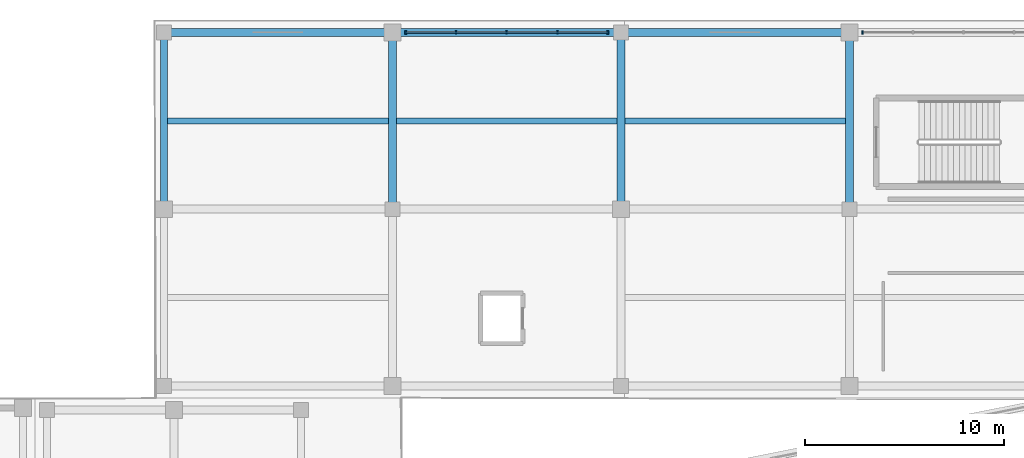
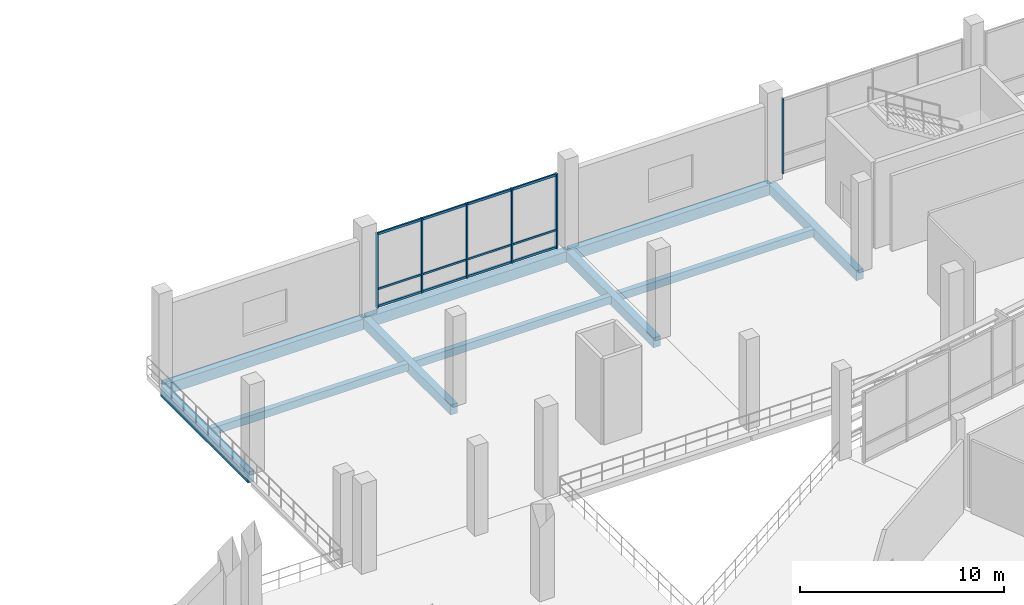
# One storey, part 49 of 114: 10 beams, 9 members, 2 elements without a shape of their own.
"""IFC4 building model written with IfcOpenShell, lengths in metres."""

from ifc_helpers import new_model, si_unit, direction, frame, origin, origin_2d, place, context, subcontext, project, spatial, rectangle, extrude, material, material_profile, profile_set, type_object, element, aggregate, save


model = new_model("IFC4")

# Units and contexts
model_context = context("Model", 3, precision=1e-05, world=origin(), true_north=direction((0.0, 1.0)))
body_context = subcontext(model_context, "Body", "Model", "MODEL_VIEW")
ifc_project = project(units=[si_unit("LENGTHUNIT", "METRE"), si_unit("AREAUNIT", "SQUARE_METRE"), si_unit("VOLUMEUNIT", "CUBIC_METRE"), si_unit("PLANEANGLEUNIT", "RADIAN"), si_unit("MASSUNIT", "GRAM", prefix="KILO")], contexts=[model_context])

# Site, building, storey
site_placement = place(None, origin())
site = spatial("IfcSite", under=ifc_project, at=site_placement, CompositionType="ELEMENT")
building_placement = place(site_placement, origin())
building = spatial("IfcBuilding", under=site, at=building_placement, Name="Candeia Ridge Stadium", CompositionType="ELEMENT")
storey_placement = place(building_placement, frame((0.0, 0.0, 5.39990234375)))
storey = spatial("IfcBuildingStorey", under=building, at=storey_placement, Name="L01", CompositionType="ELEMENT", Elevation=5.39990234375)

# Curtain wall, members
ifc_material_1 = material(Name="Aluminium Anodized Warm Bronze", Category="aluminium")
curtain_wall_type = type_object("IfcCurtainWallType", Name="Museum & Boulevard Showcase Curtain Wall", PredefinedType="NOTDEFINED", material=ifc_material_1)
curtain_wall_1_placement = place(storey_placement, origin())
curtain_wall_1 = element("IfcCurtainWall", 1, at=curtain_wall_1_placement, inside=storey, type_object=curtain_wall_type, Name="Unitised curtain wall CW-WNG-L01-141", PredefinedType="NOTDEFINED")
ifc_material_profile_1 = material_profile(ifc_material_1, rectangle(XDim=0.090087890625, YDim=0.179931640625, at=origin_2d()), Name="CWM-90x180", Category="aluminium")
ifc_profile_set_1 = profile_set([ifc_material_profile_1], Name="Aluminium Anodized Warm Bronze")
member_type_1 = type_object("IfcMemberType", Name="Curtain Wall Primary Mullion 90x180", PredefinedType="MULLION", material=ifc_profile_set_1)
member_1_placement = place(storey_placement, frame((37.659912109375, 165.39990234375, 0.0), z_axis=(0.0, 0.0, 1.0), x_axis=(1.0, 0.0, 0.0)))
member_1 = element("IfcMember", 2, at=member_1_placement, type_object=member_type_1, Name="Curtain wall mullion CW-WNG-L01-141-M0", PredefinedType="MULLION", context=body_context, shape_type="SweptSolid", body=[
    extrude(rectangle(XDim=0.090087890625, YDim=0.179931640625, at=origin_2d()), origin(), (0.0, 0.0, 1.0), 4.47509765625),
])
member_2_placement = place(storey_placement, frame((47.840087890625, 165.39990234375, 0.0), z_axis=(0.0, 0.0, 1.0), x_axis=(1.0, 0.0, 0.0)))
member_2 = element("IfcMember", 3, at=member_2_placement, type_object=member_type_1, Name="Curtain wall mullion CW-WNG-L01-141-M4", PredefinedType="MULLION", context=body_context, shape_type="SweptSolid", body=[
    extrude(rectangle(XDim=0.090087890625, YDim=0.179931640625, at=origin_2d()), origin(), (0.0, 0.0, 1.0), 4.47509765625),
])

# Curtain wall, member
curtain_wall_2_placement = place(storey_placement, origin())
curtain_wall_2 = element("IfcCurtainWall", 4, at=curtain_wall_2_placement, inside=storey, type_object=curtain_wall_type, Name="Unitised curtain wall CW-WNG-L01-142", PredefinedType="NOTDEFINED")
member_3_placement = place(storey_placement, frame((60.659912109375, 165.39990234375, 0.0), z_axis=(0.0, 0.0, 1.0), x_axis=(1.0, 0.0, 0.0)))
member_3 = element("IfcMember", 5, at=member_3_placement, type_object=member_type_1, Name="Curtain wall mullion CW-WNG-L01-142-M0", PredefinedType="MULLION", context=body_context, shape_type="SweptSolid", body=[
    extrude(rectangle(XDim=0.090087890625, YDim=0.179931640625, at=origin_2d()), origin(), (0.0, 0.0, 1.0), 4.47509765625),
])
aggregate(curtain_wall_2, [member_3])

# Member
ifc_material_profile_2 = material_profile(ifc_material_1, rectangle(XDim=0.074951171875, YDim=0.14990234375, at=origin_2d()), Name="CWM-75x150", Category="aluminium")
ifc_profile_set_2 = profile_set([ifc_material_profile_2], Name="Aluminium Anodized Warm Bronze")
member_type_2 = type_object("IfcMemberType", Name="Curtain Wall Secondary Mullion 75x150", PredefinedType="MULLION", material=ifc_profile_set_2)
member_4_placement = place(storey_placement, frame((40.205078125, 165.39990234375, 0.0), z_axis=(0.0, 0.0, 1.0), x_axis=(1.0, 0.0, 0.0)))
member_4 = element("IfcMember", 6, at=member_4_placement, type_object=member_type_2, Name="Curtain wall mullion CW-WNG-L01-141-M1", PredefinedType="MULLION", context=body_context, shape_type="SweptSolid", body=[
    extrude(rectangle(XDim=0.074951171875, YDim=0.14990234375, at=origin_2d()), origin(), (0.0, 0.0, 1.0), 4.47509765625),
])

member_5_placement = place(storey_placement, frame((42.75, 165.39990234375, 0.0), z_axis=(0.0, 0.0, 1.0), x_axis=(1.0, 0.0, 0.0)))
member_5 = element("IfcMember", 7, at=member_5_placement, type_object=member_type_2, Name="Curtain wall mullion CW-WNG-L01-141-M2", PredefinedType="MULLION", context=body_context, shape_type="SweptSolid", body=[
    extrude(rectangle(XDim=0.074951171875, YDim=0.14990234375, at=origin_2d()), origin(), (0.0, 0.0, 1.0), 4.47509765625),
])

member_6_placement = place(storey_placement, frame((45.294921875, 165.39990234375, 0.0), z_axis=(0.0, 0.0, 1.0), x_axis=(1.0, 0.0, 0.0)))
member_6 = element("IfcMember", 8, at=member_6_placement, type_object=member_type_2, Name="Curtain wall mullion CW-WNG-L01-141-M3", PredefinedType="MULLION", context=body_context, shape_type="SweptSolid", body=[
    extrude(rectangle(XDim=0.074951171875, YDim=0.14990234375, at=origin_2d()), origin(), (0.0, 0.0, 1.0), 4.47509765625),
])

ifc_material_profile_3 = material_profile(ifc_material_1, rectangle(XDim=0.074951171875, YDim=0.110107421875, at=origin_2d()), Name="CWT-75x110", Category="aluminium")
ifc_profile_set_3 = profile_set([ifc_material_profile_3], Name="Aluminium Anodized Warm Bronze")
member_type_3 = type_object("IfcMemberType", Name="Curtain Wall Secondary Transom 75x110", PredefinedType="USERDEFINED", material=ifc_profile_set_3)
member_7_placement = place(storey_placement, frame((37.659912109375, 165.39990234375, 1.10009765625), z_axis=(1.0, 0.0, 0.0), x_axis=(0.0, 1.0, 0.0)))
member_7 = element("IfcMember", 9, at=member_7_placement, type_object=member_type_3, Name="Curtain wall transom CW-WNG-L01-141-T1", ObjectType="TRANSOM", PredefinedType="USERDEFINED", context=body_context, shape_type="SweptSolid", body=[
    extrude(rectangle(XDim=0.074951171875, YDim=0.110107421875, at=origin_2d()), origin(), (0.0, 0.0, 1.0), 10.18017578125),
])

ifc_material_profile_4 = material_profile(ifc_material_1, rectangle(XDim=0.090087890625, YDim=0.139892578125, at=origin_2d()), Name="CWT-90x140", Category="aluminium")
ifc_profile_set_4 = profile_set([ifc_material_profile_4], Name="Aluminium Anodized Warm Bronze")
member_type_4 = type_object("IfcMemberType", Name="Curtain Wall Transom 90x140", PredefinedType="USERDEFINED", material=ifc_profile_set_4)
member_8_placement = place(storey_placement, frame((37.659912109375, 165.39990234375, 0.070068359375), z_axis=(1.0, 0.0, 0.0), x_axis=(0.0, 1.0, 0.0)))
member_8 = element("IfcMember", 10, at=member_8_placement, type_object=member_type_4, Name="Curtain wall transom CW-WNG-L01-141-T0", ObjectType="TRANSOM", PredefinedType="USERDEFINED", context=body_context, shape_type="SweptSolid", body=[
    extrude(rectangle(XDim=0.090087890625, YDim=0.139892578125, at=origin_2d()), origin(), (0.0, 0.0, 1.0), 10.18017578125),
])

member_9_placement = place(storey_placement, frame((37.659912109375, 165.39990234375, 4.405029296875), z_axis=(1.0, 0.0, 0.0), x_axis=(0.0, 1.0, 0.0)))
member_9 = element("IfcMember", 11, at=member_9_placement, type_object=member_type_4, Name="Curtain wall transom CW-WNG-L01-141-T2", ObjectType="TRANSOM", PredefinedType="USERDEFINED", context=body_context, shape_type="SweptSolid", body=[
    extrude(rectangle(XDim=0.090087890625, YDim=0.139892578125, at=origin_2d()), origin(), (0.0, 0.0, 1.0), 10.18017578125),
])

aggregate(curtain_wall_1, [member_1, member_4, member_5, member_6, member_2, member_8, member_7, member_9])

# Beams
ifc_material_2 = material(Name="Concrete C40/50", Category="concrete")
ifc_material_profile_5 = material_profile(ifc_material_2, rectangle(XDim=0.300048828125, YDim=0.449951171875, at=origin_2d()), Name="RC300x450", Category="concrete")
ifc_profile_set_5 = profile_set([ifc_material_profile_5], Name="Concrete C40/50")
beam_type_1 = type_object("IfcBeamType", Name="Floor Joist RC300x450", PredefinedType="JOIST", material=ifc_profile_set_5)
beam_1_placement = place(storey_placement, frame((25.674560546875, 160.949951171875, -0.48486328125), z_axis=(1.0, 0.0, 0.0), x_axis=(0.0, 1.0, 0.0)))
element("IfcBeam", 12, at=beam_1_placement, inside=storey, type_object=beam_type_1, Name="Wing secondary joist BM-L01-1545", PredefinedType="JOIST", context=body_context, shape_type="SweptSolid", body=[
    extrude(rectangle(XDim=0.300048828125, YDim=0.449951171875, at=origin_2d()), origin(), (0.0, 0.0, 1.0), 11.1259765625),
])
for number, where, z_axis, x_axis, name in (
    (13, (37.199462890625, 160.949951171875, -0.48486328125), (1.0, 0.0, 0.0), (0.0, 1.0, 0.0), "Wing secondary joist BM-L01-1549"),
    (14, (48.699462890625, 160.949951171875, -0.48486328125), (1.0, 0.0, 0.0), (0.0, 1.0, 0.0), "Wing secondary joist BM-L01-1554"),
):
    element("IfcBeam", number, at=place(storey_placement, frame(where, z_axis=z_axis, x_axis=x_axis)), inside=storey, type_object=beam_type_1, Name=name, PredefinedType="JOIST", context=body_context, shape_type="SweptSolid", body=[
        extrude(rectangle(XDim=0.300048828125, YDim=0.449951171875, at=origin_2d()), origin(), (0.0, 0.0, 1.0), 11.10107421875),
    ])
ifc_material_profile_6 = material_profile(ifc_material_2, rectangle(XDim=0.39990234375, YDim=0.60009765625, at=origin_2d()), Name="RC400x600", Category="concrete")
ifc_profile_set_6 = profile_set([ifc_material_profile_6], Name="Concrete C40/50")
beam_type_2 = type_object("IfcBeamType", Name="Frame Girder RC400x600", PredefinedType="BEAM", material=ifc_profile_set_6)
for number, where, z_axis, x_axis, name in (
    (15, (37.0, 156.659912109375, -0.559814453125), (0.0, 1.0, 0.0), (-1.0, 0.0, 0.0), "Structural girder BM-L01-1531"),
    (16, (48.5, 156.659912109375, -0.559814453125), (0.0, 1.0, 0.0), (-1.0, 0.0, 0.0), "Structural girder BM-L01-1533"),
    (17, (60.0, 156.659912109375, -0.559814453125), (0.0, 1.0, 0.0), (-1.0, 0.0, 0.0), "Structural girder BM-L01-1535"),
):
    element("IfcBeam", number, at=place(storey_placement, frame(where, z_axis=z_axis, x_axis=x_axis)), inside=storey, type_object=beam_type_2, Name=name, PredefinedType="BEAM", context=body_context, shape_type="SweptSolid", body=[
        extrude(rectangle(XDim=0.39990234375, YDim=0.60009765625, at=origin_2d()), origin(), (0.0, 0.0, 1.0), 8.580078125),
    ])
ifc_material_profile_7 = material_profile(ifc_material_2, rectangle(XDim=0.35009765625, YDim=0.64990234375, at=origin_2d()), Name="RC350x650", Category="concrete")
ifc_profile_set_7 = profile_set([ifc_material_profile_7], Name="Concrete C40/50")
beam_type_3 = type_object("IfcBeamType", Name="Spandrel Beam RC350x650", PredefinedType="SPANDREL", material=ifc_profile_set_7)
beam_2_placement = place(storey_placement, frame((25.5, 156.659912109375, -0.5849609375), z_axis=(0.0, 1.0, 0.0), x_axis=(-1.0, 0.0, 0.0)))
element("IfcBeam", 18, at=beam_2_placement, inside=storey, type_object=beam_type_3, Name="Structural girder BM-L01-1529", PredefinedType="SPANDREL", context=body_context, shape_type="SweptSolid", body=[
    extrude(rectangle(XDim=0.35009765625, YDim=0.64990234375, at=origin_2d()), origin(), (0.0, 0.0, 1.0), 8.580078125),
])
ifc_material_profile_8 = material_profile(ifc_material_2, rectangle(XDim=0.39990234375, YDim=0.64990234375, at=origin_2d()), Name="RC400x650", Category="concrete")
ifc_profile_set_8 = profile_set([ifc_material_profile_8], Name="Concrete C40/50")
beam_type_4 = type_object("IfcBeamType", Name="Wing Primary Girder RC400x650", PredefinedType="BEAM", material=ifc_profile_set_8)
for number, where, z_axis, x_axis, name in (
    (19, (25.550048828125, 165.39990234375, -0.5849609375), (1.0, 0.0, 0.0), (0.0, 1.0, 0.0), "Structural girder BM-L01-1546"),
    (20, (37.050048828125, 165.39990234375, -0.5849609375), (1.0, 0.0, 0.0), (0.0, 1.0, 0.0), "Structural girder BM-L01-1550"),
    (21, (48.550048828125, 165.39990234375, -0.5849609375), (1.0, 0.0, 0.0), (0.0, 1.0, 0.0), "Structural girder BM-L01-1555"),
):
    element("IfcBeam", number, at=place(storey_placement, frame(where, z_axis=z_axis, x_axis=x_axis)), inside=storey, type_object=beam_type_4, Name=name, PredefinedType="BEAM", context=body_context, shape_type="SweptSolid", body=[
        extrude(rectangle(XDim=0.39990234375, YDim=0.64990234375, at=origin_2d()), origin(), (0.0, 0.0, 1.0), 11.39990234375),
    ])

save(model, "model.ifc")
